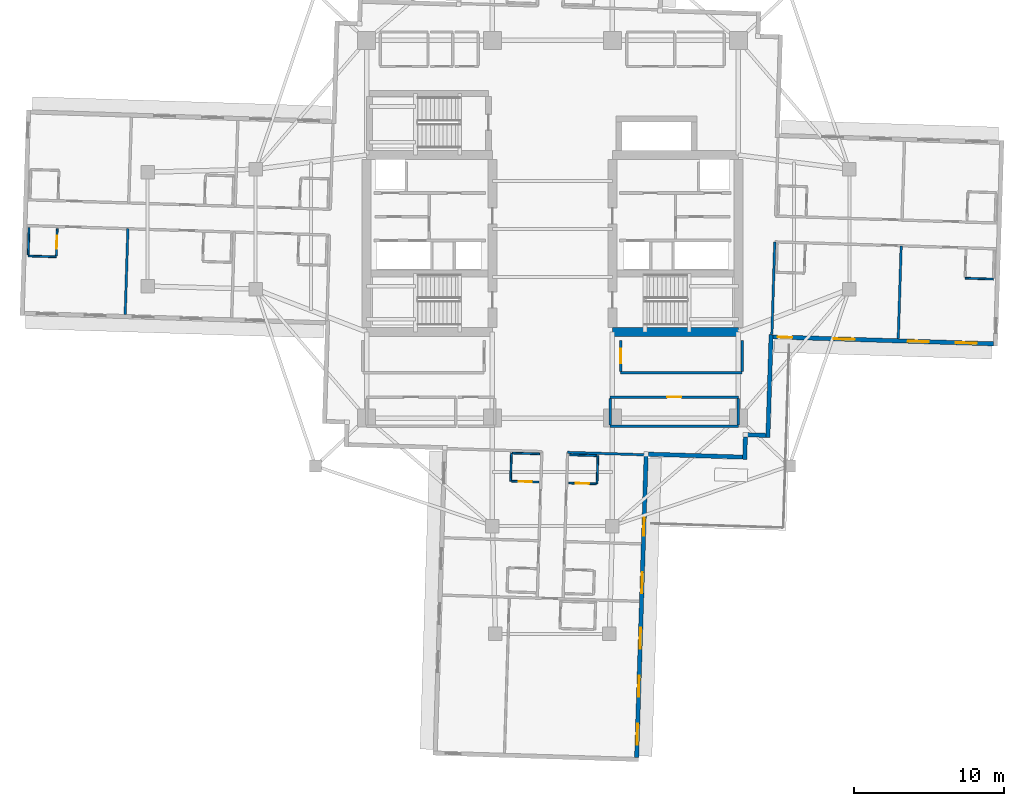
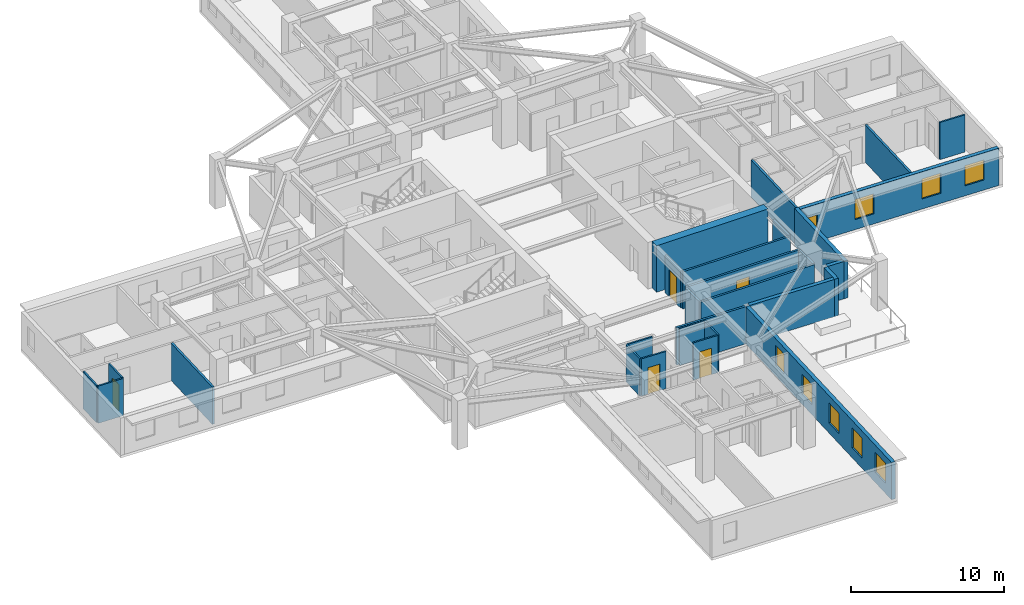
# One storey, part 4 of 14: 28 walls, 8 windows, 6 doors, 14 openings.
"""IFC4 building model written with IfcOpenShell, lengths in metres."""

from ifc_helpers import new_model, si_unit, direction, frame, frame_2d, origin, place, context, subcontext, project, spatial, rectangle, extrude, material, layer, layer_set, type_object, element, fill, save


model = new_model("IFC4")

# Units and contexts
model_context = context("Model", 3, precision=1e-05, world=origin(), true_north=direction((0.0, 1.0)))
body_context = subcontext(model_context, "Body", "Model", "MODEL_VIEW")
ifc_project = project(units=[si_unit("LENGTHUNIT", "METRE"), si_unit("AREAUNIT", "SQUARE_METRE"), si_unit("VOLUMEUNIT", "CUBIC_METRE"), si_unit("PLANEANGLEUNIT", "RADIAN"), si_unit("MASSUNIT", "GRAM", prefix="KILO")], contexts=[model_context])

# Site, building, storey
site_placement = place(None, origin())
site = spatial("IfcSite", under=ifc_project, at=site_placement, CompositionType="ELEMENT")
building_placement = place(site_placement, origin())
building = spatial("IfcBuilding", under=site, at=building_placement, Name="Qingluan Cross Belvedere", CompositionType="ELEMENT")
storey_placement = place(building_placement, frame((0.0, 0.0, 176.10009765625)))
storey = spatial("IfcBuildingStorey", under=building, at=storey_placement, Name="L44", CompositionType="ELEMENT", Elevation=176.10009765625)

# Walls
ifc_material_1 = material(Name="Concrete C60", Category="concrete")
ifc_layer_1 = layer(ifc_material_1, 0.60009765625, Name="CoreShearWall_600")
ifc_layer_set_1 = layer_set([ifc_layer_1], Name="Concrete C60")
wall_type_1 = type_object("IfcWallType", Name="CoreShearWall_600", PredefinedType="SHEAR", material=ifc_layer_set_1)
wall_1_placement = place(storey_placement, frame((4.0, -6.85009765625, 0.0), z_axis=(0.0, 0.0, 1.0), x_axis=(1.0, 0.0, 0.0)))
element("IfcWall", 1, at=wall_1_placement, inside=storey, type_object=wall_type_1, Name="Split core E shear wall L44-S", PredefinedType="SHEAR", context=body_context, shape_type="SweptSolid", body=[
    extrude(rectangle(XDim=8.39990234375, YDim=0.60009765625, at=frame_2d((4.199951171875, 0.0))), origin(), (0.0, 0.0, 1.0), 3.699951171875),
])
ifc_material_2 = material(Name="Gypsum plasterboard on steel stud acoustic partition", Category="steel")
ifc_layer_2 = layer(ifc_material_2, 0.159912109375, Name="CorridorPartition_160")
ifc_layer_set_2 = layer_set([ifc_layer_2], Name="Gypsum plasterboard on steel stud acoustic partition")
wall_type_2 = type_object("IfcWallType", Name="CorridorPartition_160", PredefinedType="PARTITIONING", material=ifc_layer_set_2)
wall_2_placement = place(storey_placement, frame((3.85009765625, -13.14990234375, 0.0), z_axis=(0.0, 0.0, 1.0), x_axis=(1.0, 0.0, 0.0)))
element("IfcWall", 2, at=wall_2_placement, inside=storey, type_object=wall_type_2, Name="Partition L44:q_se:S", PredefinedType="PARTITIONING", context=body_context, shape_type="SweptSolid", body=[
    extrude(rectangle(XDim=8.5498046875, YDim=0.159912109375, at=frame_2d((4.27490234375, 0.0))), origin(), (0.0, 0.0, 1.0), 2.9599609375),
])

# Wall, opening, door
wall_3_placement = place(storey_placement, frame((3.85009765625, -11.199951171875, 0.0), z_axis=(0.0, 0.0, 1.0), x_axis=(1.0, 0.0, 0.0)))
wall_3 = element("IfcWall", 3, at=wall_3_placement, inside=storey, type_object=wall_type_2, Name="Partition L44:q_se:N", PredefinedType="PARTITIONING", context=body_context, shape_type="SweptSolid", body=[
    extrude(rectangle(XDim=8.5498046875, YDim=0.159912109375, at=frame_2d((4.27490234375, 0.0))), origin(), (0.0, 0.0, 1.0), 2.9599609375),
])
opening_1_placement = place(wall_3_placement, frame((3.794921875, 0.0, 0.0)))
opening_1 = element("IfcOpeningElement", 4, at=opening_1_placement, cuts=wall_3, Name="Opening GD-10", PredefinedType="OPENING", context=body_context, shape_type="SweptSolid", body=[
    extrude(rectangle(XDim=0.9599609375, YDim=2.14990234375, at=frame_2d((0.47998046875, 1.074951171875))), frame((0.0, 0.08984375, 0.0), z_axis=(0.0, -1.0, 0.0), x_axis=(1.0, 0.0, 0.0)), (0.0, 0.0, 1.0), 0.179931640625),
])
ifc_material_3 = material(Name="Timber oak fire-rated acoustic guestroom door", Category="wood")
door_type_1 = type_object("IfcDoorType", Name="GuestEntryDoor_FD60", OperationType="NOTDEFINED", PredefinedType="DOOR", material=ifc_material_3)
door_1_placement = place(opening_1_placement, origin())
door_1 = element("IfcDoor", 5, at=door_1_placement, inside=storey, type_object=door_type_1, Name="Green tea pantry L44 door", OperationType="SINGLE_SWING_LEFT", OverallHeight=2.14990234375, OverallWidth=0.9599609375, PredefinedType="DOOR", context=body_context, shape_type="SweptSolid", body=[
    extrude(rectangle(XDim=0.9599609375, YDim=2.14990234375, at=frame_2d((0.47998046875, 1.074951171875))), frame((0.0, 0.02490234375, 0.0), z_axis=(0.0, -1.0, 0.0), x_axis=(1.0, 0.0, 0.0)), (0.0, 0.0, 1.0), 0.050048828125),
])
fill(opening_1, door_1)

# Walls
for number, where, z_axis, x_axis, name in (
    (6, (3.85009765625, -13.06494140625, 0.0), (0.0, 0.0, 1.0), (0.0, 1.0, 0.0), "Partition L44:q_se:W"),
    (7, (12.39990234375, -13.06494140625, 0.0), (0.0, 0.0, 1.0), (0.0, 1.0, 0.0), "Partition L44:q_se:E"),
):
    element("IfcWall", number, at=place(storey_placement, frame(where, z_axis=z_axis, x_axis=x_axis)), inside=storey, type_object=wall_type_2, Name=name, PredefinedType="PARTITIONING", context=body_context, shape_type="SweptSolid", body=[
        extrude(rectangle(XDim=1.780029296875, YDim=0.159912109375, at=frame_2d((0.89013671875, 0.0))), origin(), (0.0, 0.0, 1.0), 2.9599609375),
    ])
wall_4_placement = place(storey_placement, frame((4.550048828125, -9.580078125, 0.0), z_axis=(0.0, 0.0, 1.0), x_axis=(1.0, 0.0, 0.0)))
element("IfcWall", 8, at=wall_4_placement, inside=storey, type_object=wall_type_2, Name="Partition L44:rec_st4:S", PredefinedType="PARTITIONING", context=body_context, shape_type="SweptSolid", body=[
    extrude(rectangle(XDim=8.099853515625, YDim=0.159912109375, at=frame_2d((4.0498046875, 0.0))), origin(), (0.0, 0.0, 1.0), 2.9599609375),
])

# Wall, opening, door
wall_5_placement = place(storey_placement, frame((4.550048828125, -9.4951171875, 0.0), z_axis=(0.0, 0.0, 1.0), x_axis=(0.0, 1.0, 0.0)))
wall_5 = element("IfcWall", 9, at=wall_5_placement, inside=storey, type_object=wall_type_2, Name="Partition L44:rec_st4:W", PredefinedType="PARTITIONING", context=body_context, shape_type="SweptSolid", body=[
    extrude(rectangle(XDim=2.06005859375, YDim=0.159912109375, at=frame_2d((1.030029296875, 0.0))), origin(), (0.0, 0.0, 1.0), 2.9599609375),
])
opening_2_placement = place(wall_5_placement, frame((0.550048828125, 0.0, 0.0)))
opening_2 = element("IfcOpeningElement", 10, at=opening_2_placement, cuts=wall_5, Name="Opening GD-10", PredefinedType="OPENING", context=body_context, shape_type="SweptSolid", body=[
    extrude(rectangle(XDim=0.9599609375, YDim=2.14990234375, at=frame_2d((0.47998046875, 1.074951171875))), frame((0.0, 0.08984375, 0.0), z_axis=(0.0, -1.0, 0.0), x_axis=(1.0, 0.0, 0.0)), (0.0, 0.0, 1.0), 0.179931640625),
])
door_2_placement = place(opening_2_placement, origin())
door_2 = element("IfcDoor", 11, at=door_2_placement, inside=storey, type_object=door_type_1, Name="Southeast club library room L44 door", OperationType="SINGLE_SWING_RIGHT", OverallHeight=2.14990234375, OverallWidth=0.9599609375, PredefinedType="DOOR", context=body_context, shape_type="SweptSolid", body=[
    extrude(rectangle(XDim=0.9599609375, YDim=2.14990234375, at=frame_2d((0.47998046875, 1.074951171875))), frame((0.0, 0.02490234375, 0.0), z_axis=(0.0, -1.0, 0.0), x_axis=(1.0, 0.0, 0.0)), (0.0, 0.0, 1.0), 0.050048828125),
])
fill(opening_2, door_2)

# Walls
wall_6_placement = place(storey_placement, frame((12.64990234375, -9.4951171875, 0.0), z_axis=(0.0, 0.0, 1.0), x_axis=(0.0, 1.0, 0.0)))
element("IfcWall", 12, at=wall_6_placement, inside=storey, type_object=wall_type_2, Name="Partition L44:rec_st4:E", PredefinedType="PARTITIONING", context=body_context, shape_type="SweptSolid", body=[
    extrude(rectangle(XDim=2.06005859375, YDim=0.159912109375, at=frame_2d((1.030029296875, 0.0))), origin(), (0.0, 0.0, 1.0), 2.9599609375),
])
for number, where, z_axis, x_axis, name in (
    (13, (14.830810546875, -0.84619140625, 0.0), (0.0, 0.0, 1.0), (-0.031424315148, -0.999506134257, 0.0), "Partition L44:E:s1"),
    (14, (23.26171875, -1.111083984375, 0.0), (0.0, 0.0, 1.0), (-0.031424315148, -0.999506134257, 0.0), "Partition L44:E:d1_0"),
):
    element("IfcWall", number, at=place(storey_placement, frame(where, z_axis=z_axis, x_axis=x_axis)), inside=storey, type_object=wall_type_2, Name=name, PredefinedType="PARTITIONING", context=body_context, shape_type="SweptSolid", body=[
        extrude(rectangle(XDim=6.192138671875, YDim=0.159912109375, at=frame_2d((3.09619140625, 0.0))), origin(), (0.0, 0.0, 1.0), 2.9599609375),
    ])
wall_7_placement = place(storey_placement, frame((-28.321044921875, 0.029541015625, 0.0), z_axis=(0.0, 0.0, 1.0), x_axis=(-0.031414891017, -0.999506430506, 0.0)))
element("IfcWall", 15, at=wall_7_placement, inside=storey, type_object=wall_type_2, Name="Partition L44:W:d1_1", PredefinedType="PARTITIONING", context=body_context, shape_type="SweptSolid", body=[
    extrude(rectangle(XDim=5.712158203125, YDim=0.159912109375, at=frame_2d((2.85595703125, 0.0))), origin(), (0.0, 0.0, 1.0), 2.9599609375),
])
wall_8_placement = place(storey_placement, frame((1.0126953125, -14.88916015625, 0.0), z_axis=(0.0, 0.0, 1.0), x_axis=(0.999506834859, -0.031402023339, 0.0)))
element("IfcWall", 16, at=wall_8_placement, inside=storey, type_object=wall_type_2, Name="Partition L44:S:s0", PredefinedType="PARTITIONING", context=body_context, shape_type="SweptSolid", body=[
    extrude(rectangle(XDim=5.240234375, YDim=0.159912109375, at=frame_2d((2.6201171875, 0.0))), origin(), (0.0, 0.0, 1.0), 2.9599609375),
])
ifc_material_4 = material(Name="Moisture-resistant gypsum board lining")
ifc_layer_3 = layer(ifc_material_4, 0.1201171875, Name="EnsuiteWetPartition_120")
ifc_layer_set_3 = layer_set([ifc_layer_3], Name="Moisture-resistant gypsum board lining")
wall_type_3 = type_object("IfcWallType", Name="EnsuiteWetPartition_120", PredefinedType="PARTITIONING", material=ifc_layer_set_3)
wall_9_placement = place(storey_placement, frame((27.53076171875, -3.271484375, 0.0), z_axis=(0.0, 0.0, 1.0), x_axis=(0.999510173889, -0.031295563454, 0.0)))
element("IfcWall", 17, at=wall_9_placement, inside=storey, type_object=wall_type_3, Name="Partition L44:E:bc1_1", PredefinedType="PARTITIONING", context=body_context, shape_type="SweptSolid", body=[
    extrude(rectangle(XDim=1.880126953125, YDim=0.1201171875, at=frame_2d((0.93994140625, 0.0))), origin(), (0.0, 0.0, 1.0), 2.9599609375),
])

# Wall, opening, door
wall_10_placement = place(storey_placement, frame((-33.09228515625, -1.781494140625, 0.0), z_axis=(0.0, 0.0, 1.0), x_axis=(0.031389704724, 0.999507221803, 0.0)))
wall_10 = element("IfcWall", 18, at=wall_10_placement, inside=storey, type_object=wall_type_3, Name="Partition L44:W:bs1_2", PredefinedType="PARTITIONING", context=body_context, shape_type="SweptSolid", body=[
    extrude(rectangle(XDim=1.820068359375, YDim=0.1201171875, at=frame_2d((0.91015625, 0.0))), origin(), (0.0, 0.0, 1.0), 2.9599609375),
])
opening_3_placement = place(wall_10_placement, frame((0.469970703125, 0.0, 0.0)))
opening_3 = element("IfcOpeningElement", 19, at=opening_3_placement, cuts=wall_10, Name="Opening BD-09", PredefinedType="OPENING", context=body_context, shape_type="SweptSolid", body=[
    extrude(rectangle(XDim=0.8798828125, YDim=2.10009765625, at=frame_2d((0.43994140625, 1.050048828125))), frame((0.0, 0.070068359375, 0.0), z_axis=(0.0, -1.0, 0.0), x_axis=(1.0, 0.0, 0.0)), (0.0, 0.0, 1.0), 0.14013671875),
])
ifc_material_5 = material(Name="Moisture-sealed timber en-suite door", Category="wood")
door_type_2 = type_object("IfcDoorType", Name="BathroomDoor_880", OperationType="NOTDEFINED", PredefinedType="DOOR", material=ifc_material_5)
door_3_placement = place(opening_3_placement, origin())
door_3 = element("IfcDoor", 20, at=door_3_placement, inside=storey, type_object=door_type_2, Name="Bathroom door 4410", OperationType="SINGLE_SWING_LEFT", OverallHeight=2.10009765625, OverallWidth=0.8798828125, PredefinedType="DOOR", context=body_context, shape_type="SweptSolid", body=[
    extrude(rectangle(XDim=0.8798828125, YDim=2.10009765625, at=frame_2d((0.43994140625, 1.050048828125))), frame((0.0, 0.02490234375, 0.0), z_axis=(0.0, -1.0, 0.0), x_axis=(1.0, 0.0, 0.0)), (0.0, 0.0, 1.0), 0.050048828125),
])
fill(opening_3, door_3)

# Walls
wall_11_placement = place(storey_placement, frame((-34.971435546875, -1.722412109375, 0.0), z_axis=(0.0, 0.0, 1.0), x_axis=(0.031389704724, 0.999507221803, 0.0)))
element("IfcWall", 21, at=wall_11_placement, inside=storey, type_object=wall_type_3, Name="Partition L44:W:bw1_2", PredefinedType="PARTITIONING", context=body_context, shape_type="SweptSolid", body=[
    extrude(rectangle(XDim=1.820068359375, YDim=0.1201171875, at=frame_2d((0.91015625, 0.0))), origin(), (0.0, 0.0, 1.0), 2.9599609375),
])
wall_12_placement = place(storey_placement, frame((-33.09423828125, -1.846435546875, 0.0), z_axis=(0.0, 0.0, 1.0), x_axis=(-0.999506103526, 0.031425292588, 0.0)))
element("IfcWall", 22, at=wall_12_placement, inside=storey, type_object=wall_type_3, Name="Partition L44:W:bc1_2", PredefinedType="PARTITIONING", context=body_context, shape_type="SweptSolid", body=[
    extrude(rectangle(XDim=1.880126953125, YDim=0.1201171875, at=frame_2d((0.93994140625, 0.0))), origin(), (0.0, 0.0, 1.0), 2.9599609375),
])

# Wall, opening, door
wall_13_placement = place(storey_placement, frame((1.088623046875, -16.9326171875, 0.0), z_axis=(0.0, 0.0, 1.0), x_axis=(0.999507221803, -0.031389704724, 0.0)))
wall_13 = element("IfcWall", 23, at=wall_13_placement, inside=storey, type_object=wall_type_3, Name="Partition L44:S:bs0_0", PredefinedType="PARTITIONING", context=body_context, shape_type="SweptSolid", body=[
    extrude(rectangle(XDim=1.820068359375, YDim=0.1201171875, at=frame_2d((0.91015625, 0.0))), origin(), (0.0, 0.0, 1.0), 2.9599609375),
])
opening_4_placement = place(wall_13_placement, frame((0.469970703125, 0.0, 0.0)))
opening_4 = element("IfcOpeningElement", 24, at=opening_4_placement, cuts=wall_13, Name="Opening BD-09", PredefinedType="OPENING", context=body_context, shape_type="SweptSolid", body=[
    extrude(rectangle(XDim=0.8798828125, YDim=2.10009765625, at=frame_2d((0.43994140625, 1.050048828125))), frame((0.0, 0.070068359375, 0.0), z_axis=(0.0, -1.0, 0.0), x_axis=(1.0, 0.0, 0.0)), (0.0, 0.0, 1.0), 0.14013671875),
])
door_4_placement = place(opening_4_placement, origin())
door_4 = element("IfcDoor", 25, at=door_4_placement, inside=storey, type_object=door_type_2, Name="Bathroom door 4415", OperationType="SINGLE_SWING_LEFT", OverallHeight=2.10009765625, OverallWidth=0.8798828125, PredefinedType="DOOR", context=body_context, shape_type="SweptSolid", body=[
    extrude(rectangle(XDim=0.8798828125, YDim=2.10009765625, at=frame_2d((0.43994140625, 1.050048828125))), frame((0.0, 0.02490234375, 0.0), z_axis=(0.0, -1.0, 0.0), x_axis=(1.0, 0.0, 0.0)), (0.0, 0.0, 1.0), 0.050048828125),
])
fill(opening_4, door_4)

# Walls
wall_14_placement = place(storey_placement, frame((1.147705078125, -15.053466796875, 0.0), z_axis=(0.0, 0.0, 1.0), x_axis=(0.999507221803, -0.031389704724, 0.0)))
element("IfcWall", 26, at=wall_14_placement, inside=storey, type_object=wall_type_3, Name="Partition L44:S:bw0_0", PredefinedType="PARTITIONING", context=body_context, shape_type="SweptSolid", body=[
    extrude(rectangle(XDim=1.820068359375, YDim=0.1201171875, at=frame_2d((0.91015625, 0.0))), origin(), (0.0, 0.0, 1.0), 2.9599609375),
])
wall_15_placement = place(storey_placement, frame((3.03173828125, -15.11279296875, 0.0), z_axis=(0.0, 0.0, 1.0), x_axis=(-0.031429371883, -0.999505975261, 0.0)))
element("IfcWall", 27, at=wall_15_placement, inside=storey, type_object=wall_type_3, Name="Partition L44:S:bn0_0", PredefinedType="PARTITIONING", context=body_context, shape_type="SweptSolid", body=[
    extrude(rectangle(XDim=1.8798828125, YDim=0.1201171875, at=frame_2d((0.93994140625, 0.0))), origin(), (0.0, 0.0, 1.0), 2.9599609375),
])

# Wall, opening, door
wall_16_placement = place(storey_placement, frame((-2.7294921875, -16.8125, 0.0), z_axis=(0.0, 0.0, 1.0), x_axis=(0.999507221803, -0.031389704724, 0.0)))
wall_16 = element("IfcWall", 28, at=wall_16_placement, inside=storey, type_object=wall_type_3, Name="Partition L44:S:bs1_0", PredefinedType="PARTITIONING", context=body_context, shape_type="SweptSolid", body=[
    extrude(rectangle(XDim=1.820068359375, YDim=0.1201171875, at=frame_2d((0.91015625, 0.0))), origin(), (0.0, 0.0, 1.0), 2.9599609375),
])
opening_5_placement = place(wall_16_placement, frame((0.469970703125, 0.0, 0.0)))
opening_5 = element("IfcOpeningElement", 29, at=opening_5_placement, cuts=wall_16, Name="Opening BD-09", PredefinedType="OPENING", context=body_context, shape_type="SweptSolid", body=[
    extrude(rectangle(XDim=0.8798828125, YDim=2.10009765625, at=frame_2d((0.43994140625, 1.050048828125))), frame((0.0, 0.070068359375, 0.0), z_axis=(0.0, -1.0, 0.0), x_axis=(1.0, 0.0, 0.0)), (0.0, 0.0, 1.0), 0.14013671875),
])
door_5_placement = place(opening_5_placement, origin())
door_5 = element("IfcDoor", 30, at=door_5_placement, inside=storey, type_object=door_type_2, Name="Bathroom door 4417", OperationType="SINGLE_SWING_LEFT", OverallHeight=2.10009765625, OverallWidth=0.8798828125, PredefinedType="DOOR", context=body_context, shape_type="SweptSolid", body=[
    extrude(rectangle(XDim=0.8798828125, YDim=2.10009765625, at=frame_2d((0.43994140625, 1.050048828125))), frame((0.0, 0.02490234375, 0.0), z_axis=(0.0, -1.0, 0.0), x_axis=(1.0, 0.0, 0.0)), (0.0, 0.0, 1.0), 0.050048828125),
])
fill(opening_5, door_5)

# Walls
wall_17_placement = place(storey_placement, frame((-2.67041015625, -14.93359375, 0.0), z_axis=(0.0, 0.0, 1.0), x_axis=(0.999507221803, -0.031389704724, 0.0)))
element("IfcWall", 31, at=wall_17_placement, inside=storey, type_object=wall_type_3, Name="Partition L44:S:bw1_0", PredefinedType="PARTITIONING", context=body_context, shape_type="SweptSolid", body=[
    extrude(rectangle(XDim=1.820068359375, YDim=0.1201171875, at=frame_2d((0.91015625, 0.0))), origin(), (0.0, 0.0, 1.0), 2.9599609375),
])
wall_18_placement = place(storey_placement, frame((-2.7353515625, -14.931396484375, 0.0), z_axis=(0.0, 0.0, 1.0), x_axis=(-0.031425292588, -0.999506103526, 0.0)))
element("IfcWall", 32, at=wall_18_placement, inside=storey, type_object=wall_type_3, Name="Partition L44:S:bc1_0", PredefinedType="PARTITIONING", context=body_context, shape_type="SweptSolid", body=[
    extrude(rectangle(XDim=1.880126953125, YDim=0.1201171875, at=frame_2d((0.93994140625, 0.0))), origin(), (0.0, 0.0, 1.0), 2.9599609375),
])

# Wall, openings, windows, door
ifc_material_6 = material(Name="Precast concrete C45", Category="concrete")
ifc_layer_4 = layer(ifc_material_6, 0.280029296875, Name="PrecastFacadeWall_280")
ifc_layer_set_4 = layer_set([ifc_layer_4], Name="Precast concrete C45")
wall_type_4 = type_object("IfcWallType", Name="PrecastFacadeWall_280", PredefinedType="STANDARD", material=ifc_layer_set_4)
wall_19_placement = place(storey_placement, frame((14.721435546875, -7.18603515625, 0.0), z_axis=(0.0, 0.0, 1.0), x_axis=(0.999506714454, -0.031405855522, 0.0)))
wall_19 = element("IfcWall", 33, at=wall_19_placement, inside=storey, type_object=wall_type_4, Name="Facade wall L44-EA", PredefinedType="STANDARD", context=body_context, shape_type="SweptSolid", body=[
    extrude(rectangle(XDim=14.7001953125, YDim=0.280029296875, at=frame_2d((7.35009765625, 0.0))), origin(), (0.0, 0.0, 1.0), 2.969970703125),
])
opening_6_placement = place(wall_19_placement, frame((4.050048828125, 0.0, 0.800048828125)))
opening_6 = element("IfcOpeningElement", 34, at=opening_6_placement, cuts=wall_19, Name="Opening W-01", PredefinedType="OPENING", context=body_context, shape_type="SweptSolid", body=[
    extrude(rectangle(XDim=1.39990234375, YDim=1.60009765625, at=frame_2d((0.699951171875, 0.800048828125))), frame((0.0, 0.14990234375, 0.0), z_axis=(0.0, -1.0, 0.0), x_axis=(1.0, 0.0, 0.0)), (0.0, 0.0, 1.0), 0.300048828125),
])
opening_7_placement = place(wall_19_placement, frame((9.0, 0.0, 0.800048828125)))
opening_7 = element("IfcOpeningElement", 35, at=opening_7_placement, cuts=wall_19, Name="Opening W-01", PredefinedType="OPENING", context=body_context, shape_type="SweptSolid", body=[
    extrude(rectangle(XDim=1.39990234375, YDim=1.60009765625, at=frame_2d((0.699951171875, 0.800048828125))), frame((0.0, 0.14990234375, 0.0), z_axis=(0.0, -1.0, 0.0), x_axis=(1.0, 0.0, 0.0)), (0.0, 0.0, 1.0), 0.300048828125),
])
opening_8_placement = place(wall_19_placement, frame((12.199951171875, 0.0, 0.800048828125)))
opening_8 = element("IfcOpeningElement", 36, at=opening_8_placement, cuts=wall_19, Name="Opening W-01", PredefinedType="OPENING", context=body_context, shape_type="SweptSolid", body=[
    extrude(rectangle(XDim=1.39990234375, YDim=1.60009765625, at=frame_2d((0.699951171875, 0.800048828125))), frame((0.0, 0.14990234375, 0.0), z_axis=(0.0, -1.0, 0.0), x_axis=(1.0, 0.0, 0.0)), (0.0, 0.0, 1.0), 0.300048828125),
])
opening_9_placement = place(wall_19_placement, frame((0.300048828125, 0.0, 0.0)))
opening_9 = element("IfcOpeningElement", 37, at=opening_9_placement, cuts=wall_19, Name="Opening WD-10", PredefinedType="OPENING", context=body_context, shape_type="SweptSolid", body=[
    extrude(rectangle(XDim=0.9599609375, YDim=2.10009765625, at=frame_2d((0.47998046875, 1.050048828125))), frame((0.0, 0.14990234375, 0.0), z_axis=(0.0, -1.0, 0.0), x_axis=(1.0, 0.0, 0.0)), (0.0, 0.0, 1.0), 0.300048828125),
])
ifc_material_7 = material(Name="Thermally broken triple Low-E glass in aluminium frame", Category="aluminium")
window_type_1 = type_object("IfcWindowType", Name="TriRibbonWin_1400x1600", PartitioningType="SINGLE_PANEL", PredefinedType="WINDOW", material=ifc_material_7)
window_1_placement = place(opening_6_placement, origin())
window_1 = element("IfcWindow", 38, at=window_1_placement, inside=storey, type_object=window_type_1, Name="Ribbon window L44-EA-2", OverallHeight=1.60009765625, OverallWidth=1.39990234375, PartitioningType="SINGLE_PANEL", PredefinedType="WINDOW", context=body_context, shape_type="SweptSolid", body=[
    extrude(rectangle(XDim=1.39990234375, YDim=1.60009765625, at=frame_2d((0.699951171875, 0.800048828125))), frame((0.0, 0.030029296875, 0.0), z_axis=(0.0, -1.0, 0.0), x_axis=(1.0, 0.0, 0.0)), (0.0, 0.0, 1.0), 0.06005859375),
])
fill(opening_6, window_1)
window_2_placement = place(opening_7_placement, origin())
window_2 = element("IfcWindow", 39, at=window_2_placement, inside=storey, type_object=window_type_1, Name="Ribbon window L44-EA-3", OverallHeight=1.60009765625, OverallWidth=1.39990234375, PartitioningType="SINGLE_PANEL", PredefinedType="WINDOW", context=body_context, shape_type="SweptSolid", body=[
    extrude(rectangle(XDim=1.39990234375, YDim=1.60009765625, at=frame_2d((0.699951171875, 0.800048828125))), frame((0.0, 0.030029296875, 0.0), z_axis=(0.0, -1.0, 0.0), x_axis=(1.0, 0.0, 0.0)), (0.0, 0.0, 1.0), 0.06005859375),
])
fill(opening_7, window_2)
window_3_placement = place(opening_8_placement, origin())
window_3 = element("IfcWindow", 40, at=window_3_placement, inside=storey, type_object=window_type_1, Name="Ribbon window L44-EA-4", OverallHeight=1.60009765625, OverallWidth=1.39990234375, PartitioningType="SINGLE_PANEL", PredefinedType="WINDOW", context=body_context, shape_type="SweptSolid", body=[
    extrude(rectangle(XDim=1.39990234375, YDim=1.60009765625, at=frame_2d((0.699951171875, 0.800048828125))), frame((0.0, 0.030029296875, 0.0), z_axis=(0.0, -1.0, 0.0), x_axis=(1.0, 0.0, 0.0)), (0.0, 0.0, 1.0), 0.06005859375),
])
fill(opening_8, window_3)
ifc_material_8 = material(Name="Thermally broken aluminium and Low-E glass", Category="aluminium")
door_type_3 = type_object("IfcDoorType", Name="WinterGardenDoor_096", OperationType="NOTDEFINED", PredefinedType="DOOR", material=ifc_material_8)
door_6_placement = place(opening_9_placement, origin())
door_6 = element("IfcDoor", 41, at=door_6_placement, inside=storey, type_object=door_type_3, Name="Outdoor terrace access door L44-spi", OperationType="SINGLE_SWING_LEFT", OverallHeight=2.10009765625, OverallWidth=0.9599609375, PredefinedType="DOOR", context=body_context, shape_type="SweptSolid", body=[
    extrude(rectangle(XDim=0.9599609375, YDim=2.10009765625, at=frame_2d((0.47998046875, 1.050048828125))), frame((0.0, 0.02490234375, 0.0), z_axis=(0.0, -1.0, 0.0), x_axis=(1.0, 0.0, 0.0)), (0.0, 0.0, 1.0), 0.050048828125),
])
fill(opening_9, door_6)

# Wall, openings, windows
wall_20_placement = place(storey_placement, frame((5.6162109375, -35.23388671875, 0.0), z_axis=(0.0, 0.0, 1.0), x_axis=(0.031398187845, 0.999506955354, 0.0)))
wall_20 = element("IfcWall", 42, at=wall_20_placement, inside=storey, type_object=wall_type_4, Name="Facade wall L44-SB", PredefinedType="STANDARD", context=body_context, shape_type="SweptSolid", body=[
    extrude(rectangle(XDim=20.10009765625, YDim=0.280029296875, at=frame_2d((10.050048828125, 0.0))), origin(), (0.0, 0.0, 1.0), 2.969970703125),
])
opening_10_placement = place(wall_20_placement, frame((0.85009765625, 0.0, 0.800048828125)))
opening_10 = element("IfcOpeningElement", 43, at=opening_10_placement, cuts=wall_20, Name="Opening W-01", PredefinedType="OPENING", context=body_context, shape_type="SweptSolid", body=[
    extrude(rectangle(XDim=1.39990234375, YDim=1.60009765625, at=frame_2d((0.699951171875, 0.800048828125))), frame((0.0, 0.14990234375, 0.0), z_axis=(0.0, -1.0, 0.0), x_axis=(1.0, 0.0, 0.0)), (0.0, 0.0, 1.0), 0.300048828125),
])
opening_11_placement = place(wall_20_placement, frame((4.050048828125, 0.0, 0.800048828125)))
opening_11 = element("IfcOpeningElement", 44, at=opening_11_placement, cuts=wall_20, Name="Opening W-01", PredefinedType="OPENING", context=body_context, shape_type="SweptSolid", body=[
    extrude(rectangle(XDim=1.39990234375, YDim=1.60009765625, at=frame_2d((0.699951171875, 0.800048828125))), frame((0.0, 0.14990234375, 0.0), z_axis=(0.0, -1.0, 0.0), x_axis=(1.0, 0.0, 0.0)), (0.0, 0.0, 1.0), 0.300048828125),
])
opening_12_placement = place(wall_20_placement, frame((7.25, 0.0, 0.800048828125)))
opening_12 = element("IfcOpeningElement", 45, at=opening_12_placement, cuts=wall_20, Name="Opening W-01", PredefinedType="OPENING", context=body_context, shape_type="SweptSolid", body=[
    extrude(rectangle(XDim=1.39990234375, YDim=1.60009765625, at=frame_2d((0.699951171875, 0.800048828125))), frame((0.0, 0.14990234375, 0.0), z_axis=(0.0, -1.0, 0.0), x_axis=(1.0, 0.0, 0.0)), (0.0, 0.0, 1.0), 0.300048828125),
])
opening_13_placement = place(wall_20_placement, frame((10.949951171875, 0.0, 0.800048828125)))
opening_13 = element("IfcOpeningElement", 46, at=opening_13_placement, cuts=wall_20, Name="Opening W-01", PredefinedType="OPENING", context=body_context, shape_type="SweptSolid", body=[
    extrude(rectangle(XDim=1.39990234375, YDim=1.60009765625, at=frame_2d((0.699951171875, 0.800048828125))), frame((0.0, 0.14990234375, 0.0), z_axis=(0.0, -1.0, 0.0), x_axis=(1.0, 0.0, 0.0)), (0.0, 0.0, 1.0), 0.300048828125),
])
opening_14_placement = place(wall_20_placement, frame((14.799072265625, 0.0, 0.85009765625)))
opening_14 = element("IfcOpeningElement", 47, at=opening_14_placement, cuts=wall_20, Name="Opening W-02", PredefinedType="OPENING", context=body_context, shape_type="SweptSolid", body=[
    extrude(rectangle(XDim=1.199951171875, YDim=1.60009765625, at=frame_2d((0.60009765625, 0.800048828125))), frame((0.0, 0.14990234375, 0.0), z_axis=(0.0, -1.0, 0.0), x_axis=(1.0, 0.0, 0.0)), (0.0, 0.0, 1.0), 0.300048828125),
])
ifc_material_9 = material(Name="Thermally broken triple Low-E glass in aluminium frame", Category="aluminium")
window_type_2 = type_object("IfcWindowType", Name="TriRibbonWin_1200x1600", PartitioningType="SINGLE_PANEL", PredefinedType="WINDOW", material=ifc_material_9)
window_4_placement = place(opening_14_placement, origin())
window_4 = element("IfcWindow", 48, at=window_4_placement, inside=storey, type_object=window_type_2, Name="Corner hotel suite 4415 daylight window", OverallHeight=1.60009765625, OverallWidth=1.199951171875, PartitioningType="SINGLE_PANEL", PredefinedType="WINDOW", context=body_context, shape_type="SweptSolid", body=[
    extrude(rectangle(XDim=1.199951171875, YDim=1.60009765625, at=frame_2d((0.60009765625, 0.800048828125))), frame((0.0, 0.030029296875, 0.0), z_axis=(0.0, -1.0, 0.0), x_axis=(1.0, 0.0, 0.0)), (0.0, 0.0, 1.0), 0.06005859375),
])
fill(opening_14, window_4)
window_5_placement = place(opening_10_placement, origin())
window_5 = element("IfcWindow", 49, at=window_5_placement, inside=storey, type_object=window_type_1, Name="Ribbon window L44-SB-1", OverallHeight=1.60009765625, OverallWidth=1.39990234375, PartitioningType="SINGLE_PANEL", PredefinedType="WINDOW", context=body_context, shape_type="SweptSolid", body=[
    extrude(rectangle(XDim=1.39990234375, YDim=1.60009765625, at=frame_2d((0.699951171875, 0.800048828125))), frame((0.0, 0.030029296875, 0.0), z_axis=(0.0, -1.0, 0.0), x_axis=(1.0, 0.0, 0.0)), (0.0, 0.0, 1.0), 0.06005859375),
])
fill(opening_10, window_5)
window_6_placement = place(opening_11_placement, origin())
window_6 = element("IfcWindow", 50, at=window_6_placement, inside=storey, type_object=window_type_1, Name="Ribbon window L44-SB-2", OverallHeight=1.60009765625, OverallWidth=1.39990234375, PartitioningType="SINGLE_PANEL", PredefinedType="WINDOW", context=body_context, shape_type="SweptSolid", body=[
    extrude(rectangle(XDim=1.39990234375, YDim=1.60009765625, at=frame_2d((0.699951171875, 0.800048828125))), frame((0.0, 0.030029296875, 0.0), z_axis=(0.0, -1.0, 0.0), x_axis=(1.0, 0.0, 0.0)), (0.0, 0.0, 1.0), 0.06005859375),
])
fill(opening_11, window_6)
window_7_placement = place(opening_12_placement, origin())
window_7 = element("IfcWindow", 51, at=window_7_placement, inside=storey, type_object=window_type_1, Name="Ribbon window L44-SB-3", OverallHeight=1.60009765625, OverallWidth=1.39990234375, PartitioningType="SINGLE_PANEL", PredefinedType="WINDOW", context=body_context, shape_type="SweptSolid", body=[
    extrude(rectangle(XDim=1.39990234375, YDim=1.60009765625, at=frame_2d((0.699951171875, 0.800048828125))), frame((0.0, 0.030029296875, 0.0), z_axis=(0.0, -1.0, 0.0), x_axis=(1.0, 0.0, 0.0)), (0.0, 0.0, 1.0), 0.06005859375),
])
fill(opening_12, window_7)
window_8_placement = place(opening_13_placement, origin())
window_8 = element("IfcWindow", 52, at=window_8_placement, inside=storey, type_object=window_type_1, Name="Ribbon window L44-SB-4", OverallHeight=1.60009765625, OverallWidth=1.39990234375, PartitioningType="SINGLE_PANEL", PredefinedType="WINDOW", context=body_context, shape_type="SweptSolid", body=[
    extrude(rectangle(XDim=1.39990234375, YDim=1.60009765625, at=frame_2d((0.699951171875, 0.800048828125))), frame((0.0, 0.030029296875, 0.0), z_axis=(0.0, -1.0, 0.0), x_axis=(1.0, 0.0, 0.0)), (0.0, 0.0, 1.0), 0.06005859375),
])
fill(opening_13, window_8)

# Walls
wall_21_placement = place(storey_placement, frame((14.5859375, -7.04150390625, 0.0), z_axis=(0.0, 0.0, 1.0), x_axis=(-0.031389189386, -0.999507237988, 0.0)))
element("IfcWall", 53, at=wall_21_placement, inside=storey, type_object=wall_type_4, Name="Corner wall L44-SE1", PredefinedType="STANDARD", context=body_context, shape_type="SweptSolid", body=[
    extrude(rectangle(XDim=6.860107421875, YDim=0.280029296875, at=frame_2d((3.43017578125, 0.0))), origin(), (0.0, 0.0, 1.0), 2.969970703125),
])
wall_22_placement = place(storey_placement, frame((14.235107421875, -13.75390625, 0.0), z_axis=(0.0, 0.0, 1.0), x_axis=(-0.999506398264, 0.031415916822, 0.0)))
element("IfcWall", 54, at=wall_22_placement, inside=storey, type_object=wall_type_4, Name="Corner wall L44-SE2", PredefinedType="STANDARD", context=body_context, shape_type="SweptSolid", body=[
    extrude(rectangle(XDim=1.219970703125, YDim=0.280029296875, at=frame_2d((0.60986328125, 0.0))), origin(), (0.0, 0.0, 1.0), 2.969970703125),
])
wall_23_placement = place(storey_placement, frame((12.871337890625, -13.85107421875, 0.0), z_axis=(0.0, 0.0, 1.0), x_axis=(-0.031412596484, -0.999506502621, 0.0)))
element("IfcWall", 55, at=wall_23_placement, inside=storey, type_object=wall_type_4, Name="Corner wall L44-SE3", PredefinedType="STANDARD", context=body_context, shape_type="SweptSolid", body=[
    extrude(rectangle(XDim=1.5, YDim=0.280029296875, at=frame_2d((0.75, 0.0))), origin(), (0.0, 0.0, 1.0), 2.969970703125),
])
wall_24_placement = place(storey_placement, frame((12.688720703125, -15.2060546875, 0.0), z_axis=(0.0, 0.0, 1.0), x_axis=(-0.999507262922, 0.031388395416, 0.0)))
element("IfcWall", 56, at=wall_24_placement, inside=storey, type_object=wall_type_4, Name="Corner wall L44-SE4", PredefinedType="STANDARD", context=body_context, shape_type="SweptSolid", body=[
    extrude(rectangle(XDim=6.30029296875, YDim=0.280029296875, at=frame_2d((3.150146484375, 0.0))), origin(), (0.0, 0.0, 1.0), 2.969970703125),
])

save(model, "model.ifc")
